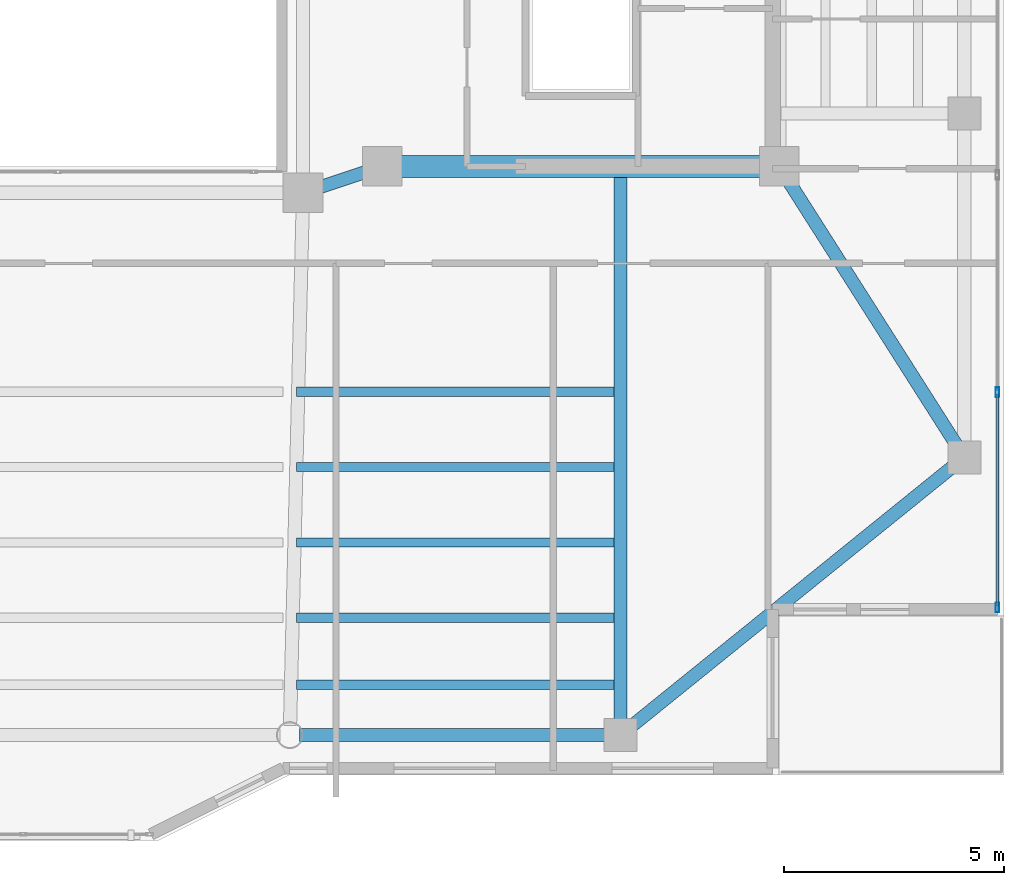
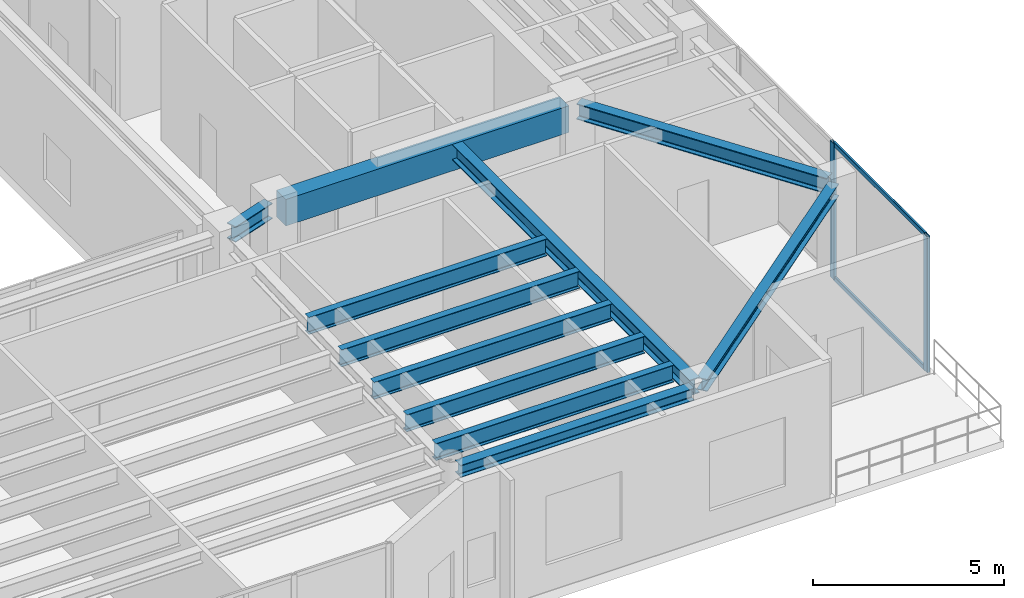
# One storey, part 13 of 34: 11 beams, 4 members, 1 element without a shape of its own.
"""IFC4 building model written with IfcOpenShell, lengths in metres."""

from ifc_helpers import new_model, si_unit, direction, frame, origin, origin_2d, place, context, subcontext, project, spatial, rectangle, hollow_rectangle, i_section, extrude, material, layer, layer_set, material_profile, profile_set, type_object, element, aggregate, save


model = new_model("IFC4")

# Units and contexts
model_context = context("Model", 3, precision=1e-05, world=origin(), true_north=direction((0.0, 1.0)))
body_context = subcontext(model_context, "Body", "Model", "MODEL_VIEW")
ifc_project = project(units=[si_unit("LENGTHUNIT", "METRE"), si_unit("AREAUNIT", "SQUARE_METRE"), si_unit("VOLUMEUNIT", "CUBIC_METRE"), si_unit("PLANEANGLEUNIT", "RADIAN"), si_unit("MASSUNIT", "GRAM", prefix="KILO")], contexts=[model_context])

# Site, building, storey
site_placement = place(None, origin())
site = spatial("IfcSite", under=ifc_project, at=site_placement, CompositionType="ELEMENT")
building_placement = place(site_placement, origin())
building = spatial("IfcBuilding", under=site, at=building_placement, Name="Tarnavaz Court Tower", CompositionType="ELEMENT")
storey_placement = place(building_placement, frame((0.0, 0.0, 231.75)))
storey = spatial("IfcBuildingStorey", under=building, at=storey_placement, Name="L63", CompositionType="ELEMENT", Elevation=231.75)

# Beams
ifc_material_1 = material(Name="Concrete C50/60", Category="concrete")
ifc_material_profile_1 = material_profile(ifc_material_1, rectangle(XDim=0.5, YDim=0.85009765625, at=origin_2d()), Name="RC 500X850")
ifc_profile_set_1 = profile_set([ifc_material_profile_1], Name="Concrete C50/60")
beam_type_1 = type_object("IfcBeamType", Name="BM-CB850", PredefinedType="LINTEL", material=ifc_profile_set_1)
beam_1_placement = place(storey_placement, frame((18.3798828125, -7.199951171875, 3.925048828125), z_axis=(-1.0, 0.0, 0.0), x_axis=(0.0, -1.0, 0.0)))
element("IfcBeam", 1, at=beam_1_placement, inside=storey, type_object=beam_type_1, Name="L63 Beam IN-CE-SO-CE-SI", PredefinedType="LINTEL", context=body_context, shape_type="SweptSolid", body=[
    extrude(rectangle(XDim=0.5, YDim=0.85009765625, at=origin_2d()), origin(), (0.0, 0.0, 1.0), 8.559814453125),
])
ifc_material_2 = material(Name="Steel S355", Category="steel")
ifc_material_profile_2 = material_profile(ifc_material_2, i_section(OverallWidth=0.300048828125, OverallDepth=0.5, WebThickness=0.014404296875, FlangeThickness=0.028076171875, FilletRadius=0.027099609375, at=origin_2d()), Name="HEB 500")
ifc_profile_set_2 = profile_set([ifc_material_profile_2], Name="Steel S355")
beam_type_2 = type_object("IfcBeamType", Name="BM-G-HEB500", PredefinedType="USERDEFINED", material=ifc_profile_set_2)
beam_2_placement = place(storey_placement, frame((9.391357421875, -7.26953125, 4.10009765625), z_axis=(-0.948666544706, -0.316278021615, 0.0), x_axis=(0.316278021615, -0.948666544706, 0.0)))
element("IfcBeam", 2, at=beam_2_placement, inside=storey, type_object=beam_type_2, Name="L63 Beam IN-CE-SI-IW-SE", ObjectType="GIRDER", PredefinedType="USERDEFINED", context=body_context, shape_type="SweptSolid", body=[
    extrude(i_section(OverallWidth=0.300048828125, OverallDepth=0.5, WebThickness=0.014404296875, FlangeThickness=0.028076171875, FilletRadius=0.027099609375, at=origin_2d()), origin(), (0.0, 0.0, 1.0), 1.457275390625),
])
beam_3_placement = place(storey_placement, frame((15.0, -7.239990234375, 4.10009765625), z_axis=(0.0, -1.0, 0.0), x_axis=(1.0, 0.0, 0.0)))
element("IfcBeam", 3, at=beam_3_placement, inside=storey, type_object=beam_type_2, Name="L63 Beam RG-08", ObjectType="GIRDER", PredefinedType="USERDEFINED", context=body_context, shape_type="SweptSolid", body=[
    extrude(i_section(OverallWidth=0.300048828125, OverallDepth=0.5, WebThickness=0.014404296875, FlangeThickness=0.028076171875, FilletRadius=0.027099609375, at=origin_2d()), origin(), (0.0, 0.0, 1.0), 12.639892578125),
])
beam_4_placement = place(storey_placement, frame((18.718017578125, -7.385498046875, 4.10009765625), z_axis=(0.536871212964, -0.843664210863, 0.0), x_axis=(0.843664210863, 0.536871212964, 0.0)))
element("IfcBeam", 4, at=beam_4_placement, inside=storey, type_object=beam_type_2, Name="L63 Beam RG-11", ObjectType="GIRDER", PredefinedType="USERDEFINED", context=body_context, shape_type="SweptSolid", body=[
    extrude(i_section(OverallWidth=0.300048828125, OverallDepth=0.5, WebThickness=0.014404296875, FlangeThickness=0.028076171875, FilletRadius=0.027099609375, at=origin_2d()), origin(), (0.0, 0.0, 1.0), 7.38330078125),
])
ifc_material_profile_3 = material_profile(ifc_material_2, i_section(OverallWidth=0.2099609375, OverallDepth=0.550048828125, WebThickness=0.010986328125, FlangeThickness=0.01708984375, FilletRadius=0.02392578125, at=origin_2d()), Name="IPE 550")
ifc_profile_set_3 = profile_set([ifc_material_profile_3], Name="Steel S355")
beam_type_3 = type_object("IfcBeamType", Name="BM-J-IPE550", PredefinedType="JOIST", material=ifc_profile_set_3)
for number, where, z_axis, x_axis, name in (
    (5, (7.64990234375, -12.31005859375, 4.074951171875), (1.0, 0.0, 0.0), (0.0, 1.0, 0.0), "L63 Beam JS1-3"),
    (6, (7.64990234375, -14.02001953125, 4.074951171875), (1.0, 0.0, 0.0), (0.0, 1.0, 0.0), "L63 Beam JS2-3"),
    (7, (7.64990234375, -15.72998046875, 4.074951171875), (1.0, 0.0, 0.0), (0.0, 1.0, 0.0), "L63 Beam JS3-3"),
    (8, (7.64990234375, -17.43994140625, 4.074951171875), (1.0, 0.0, 0.0), (0.0, 1.0, 0.0), "L63 Beam JS4-3"),
    (9, (7.64990234375, -18.9599609375, 4.074951171875), (1.0, 0.0, 0.0), (0.0, 1.0, 0.0), "L63 Beam JS5-3"),
):
    element("IfcBeam", number, at=place(storey_placement, frame(where, z_axis=z_axis, x_axis=x_axis)), inside=storey, type_object=beam_type_3, Name=name, PredefinedType="JOIST", context=body_context, shape_type="SweptSolid", body=[
        extrude(i_section(OverallWidth=0.2099609375, OverallDepth=0.550048828125, WebThickness=0.010986328125, FlangeThickness=0.01708984375, FilletRadius=0.02392578125, at=origin_2d()), origin(), (0.0, 0.0, 1.0), 7.2001953125),
    ])
ifc_material_profile_4 = material_profile(ifc_material_2, i_section(OverallWidth=0.300048828125, OverallDepth=0.389892578125, WebThickness=0.010986328125, FlangeThickness=0.01904296875, FilletRadius=0.027099609375, at=origin_2d()), Name="HEA 400")
ifc_profile_set_4 = profile_set([ifc_material_profile_4], Name="Steel S355")
beam_type_4 = type_object("IfcBeamType", Name="BM-SP-HEA400", PredefinedType="BEAM", material=ifc_profile_set_4)
beam_5_placement = place(storey_placement, frame((7.719970703125, -20.10009765625, 4.155029296875), z_axis=(1.0, 0.0, 0.0), x_axis=(0.0, 1.0, 0.0)))
element("IfcBeam", 10, at=beam_5_placement, inside=storey, type_object=beam_type_4, Name="L63 Beam PR-PS-3-PS-4", PredefinedType="BEAM", context=body_context, shape_type="SweptSolid", body=[
    extrude(i_section(OverallWidth=0.300048828125, OverallDepth=0.389892578125, WebThickness=0.010986328125, FlangeThickness=0.01904296875, FilletRadius=0.027099609375, at=origin_2d()), origin(), (0.0, 0.0, 1.0), 7.06005859375),
])
beam_6_placement = place(storey_placement, frame((22.62890625, -13.938232421875, 4.155029296875), z_axis=(-0.777935913531, -0.628343627674, 0.0), x_axis=(0.628343627674, -0.777935913531, 0.0)))
element("IfcBeam", 11, at=beam_6_placement, inside=storey, type_object=beam_type_4, Name="L63 Beam PR-PE-1-PS-4", PredefinedType="BEAM", context=body_context, shape_type="SweptSolid", body=[
    extrude(i_section(OverallWidth=0.300048828125, OverallDepth=0.389892578125, WebThickness=0.010986328125, FlangeThickness=0.01904296875, FilletRadius=0.027099609375, at=origin_2d()), origin(), (0.0, 0.0, 1.0), 9.586669921875),
])

# Curtain wall, members
ifc_material_3 = material(Name="Anodised Aluminium 6063-T6 and Solar Low-E Glazing", Category="aluminium")
ifc_layer = layer(ifc_material_3, 0.199951171875)
ifc_layer_set = layer_set([ifc_layer], Name="Anodised Aluminium 6063-T6 and Solar Low-E Glazing")
curtain_wall_type = type_object("IfcCurtainWallType", Name="CW-SYS-05", PredefinedType="NOTDEFINED", material=ifc_layer_set)
curtain_wall_placement = place(storey_placement, origin())
curtain_wall = element("IfcCurtainWall", 12, at=curtain_wall_placement, inside=storey, type_object=curtain_wall_type, Name="L63 Sky-Portal Curtain Wall 12", PredefinedType="NOTDEFINED")
ifc_material_4 = material(Name="Anodised Aluminium 6063-T6", Category="aluminium")
ifc_material_profile_5 = material_profile(ifc_material_4, hollow_rectangle(XDim=0.0849609375, YDim=0.219970703125, WallThickness=0.006103515625, InnerFilletRadius=0.006103515625, OuterFilletRadius=0.011962890625, at=origin_2d()), Name="ALU RHS 220X85X6")
ifc_profile_set_5 = profile_set([ifc_material_profile_5], Name="Anodised Aluminium 6063-T6")
member_type_1 = type_object("IfcMemberType", Name="CW-MUL-220", PredefinedType="MULLION", material=ifc_profile_set_5)
member_1_placement = place(storey_placement, frame((23.550048828125, -12.321533203125, 0.0), z_axis=(0.0, 0.0, 1.0), x_axis=(1.0, 0.0, 0.0)))
member_1 = element("IfcMember", 13, at=member_1_placement, type_object=member_type_1, Name="CW mullion 7", PredefinedType="MULLION", context=body_context, shape_type="SweptSolid", body=[
    extrude(hollow_rectangle(XDim=0.0849609375, YDim=0.219970703125, WallThickness=0.006103515625, InnerFilletRadius=0.006103515625, OuterFilletRadius=0.011962890625, at=origin_2d()), origin(), (0.0, 0.0, 1.0), 4.35009765625),
])
member_2_placement = place(storey_placement, frame((23.550048828125, -17.20751953125, 0.0), z_axis=(0.0, 0.0, 1.0), x_axis=(1.0, 0.0, 0.0)))
member_2 = element("IfcMember", 14, at=member_2_placement, type_object=member_type_1, Name="CW mullion 8", PredefinedType="MULLION", context=body_context, shape_type="SweptSolid", body=[
    extrude(hollow_rectangle(XDim=0.0849609375, YDim=0.219970703125, WallThickness=0.006103515625, InnerFilletRadius=0.006103515625, OuterFilletRadius=0.011962890625, at=origin_2d()), origin(), (0.0, 0.0, 1.0), 4.35009765625),
])
ifc_material_profile_6 = material_profile(ifc_material_4, hollow_rectangle(XDim=0.06494140625, YDim=0.139892578125, WallThickness=0.00390625, InnerFilletRadius=0.00390625, OuterFilletRadius=0.008056640625, at=origin_2d()), Name="ALU RHS 140X65X4")
ifc_profile_set_6 = profile_set([ifc_material_profile_6], Name="Anodised Aluminium 6063-T6")
member_type_2 = type_object("IfcMemberType", Name="CW-TRN-140", PredefinedType="USERDEFINED", material=ifc_profile_set_6)
member_3_placement = place(storey_placement, frame((23.550048828125, -12.364013671875, 0.032470703125), z_axis=(0.0, -1.0, 0.0), x_axis=(1.0, 0.0, 0.0)))
member_3 = element("IfcMember", 15, at=member_3_placement, type_object=member_type_2, Name="CW transom 7.1", ObjectType="TRANSOM", PredefinedType="USERDEFINED", context=body_context, shape_type="SweptSolid", body=[
    extrude(hollow_rectangle(XDim=0.06494140625, YDim=0.139892578125, WallThickness=0.00390625, InnerFilletRadius=0.00390625, OuterFilletRadius=0.008056640625, at=origin_2d()), origin(), (0.0, 0.0, 1.0), 4.801025390625),
])
member_4_placement = place(storey_placement, frame((23.550048828125, -12.364013671875, 4.3173828125), z_axis=(0.0, -1.0, 0.0), x_axis=(1.0, 0.0, 0.0)))
member_4 = element("IfcMember", 16, at=member_4_placement, type_object=member_type_2, Name="CW transom 7.2", ObjectType="TRANSOM", PredefinedType="USERDEFINED", context=body_context, shape_type="SweptSolid", body=[
    extrude(hollow_rectangle(XDim=0.06494140625, YDim=0.139892578125, WallThickness=0.00390625, InnerFilletRadius=0.00390625, OuterFilletRadius=0.008056640625, at=origin_2d()), origin(), (0.0, 0.0, 1.0), 4.801025390625),
])
aggregate(curtain_wall, [member_1, member_2, member_3, member_4])

save(model, "model.ifc")
